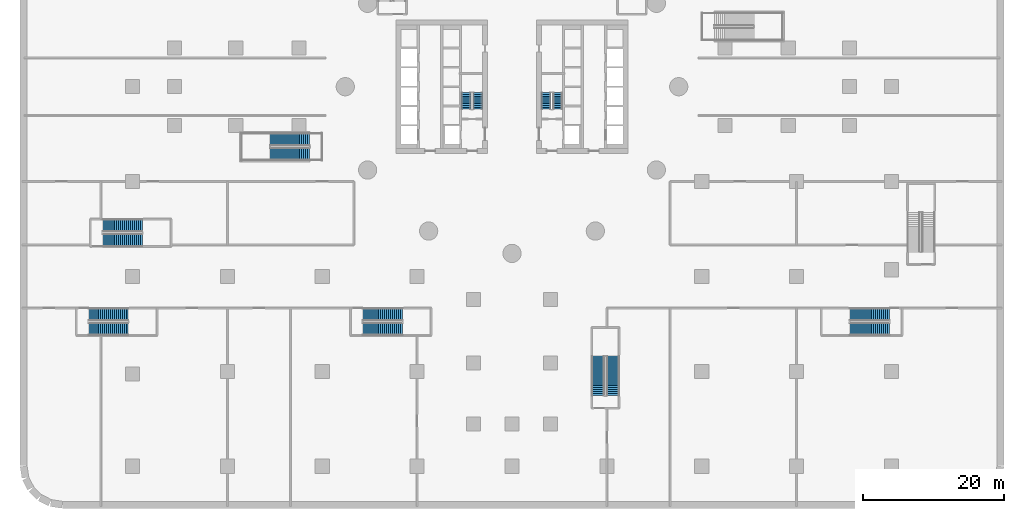
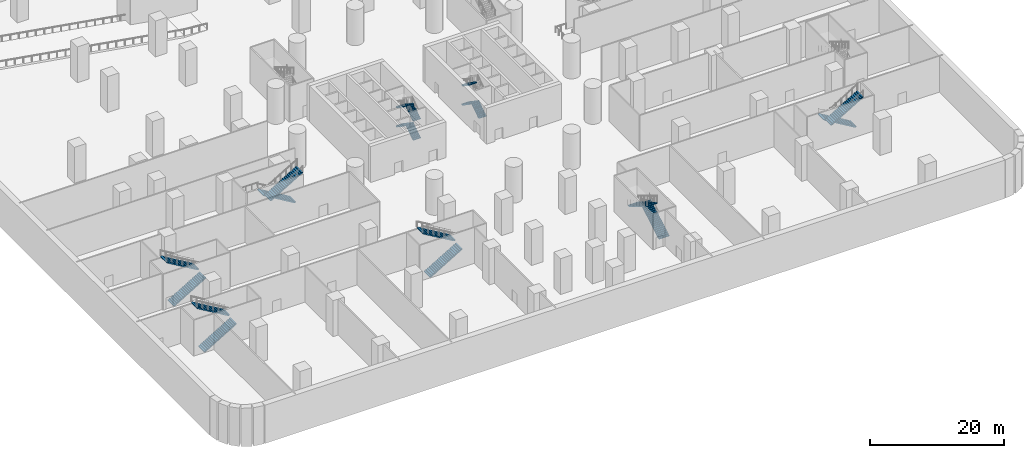
# One storey, part 13 of 30: 19 stair flights, 8 elements without a shape of their own.
"""IFC4 building model written with IfcOpenShell, lengths in metres."""

from ifc_helpers import new_model, si_unit, direction, frame, origin, place, context, subcontext, project, spatial, polyline, outline, extrude, material, type_object, element, aggregate, save


model = new_model("IFC4")

# Units and contexts
model_context = context("Model", 3, precision=1e-05, world=origin(), true_north=direction((0.0, 1.0)))
body_context = subcontext(model_context, "Body", "Model", "MODEL_VIEW")
ifc_project = project(units=[si_unit("LENGTHUNIT", "METRE"), si_unit("AREAUNIT", "SQUARE_METRE"), si_unit("VOLUMEUNIT", "CUBIC_METRE"), si_unit("PLANEANGLEUNIT", "RADIAN"), si_unit("MASSUNIT", "GRAM", prefix="KILO")], contexts=[model_context])

# Site, building, storey
site_placement = place(None, origin())
site = spatial("IfcSite", under=ifc_project, at=site_placement, CompositionType="ELEMENT")
building_placement = place(site_placement, origin())
building = spatial("IfcBuilding", under=site, at=building_placement, Name="Tamarind Cross Interchange Tower", CompositionType="ELEMENT")
storey_placement = place(building_placement, frame((0.0, 0.0, -14.0)))
storey = spatial("IfcBuildingStorey", under=building, at=storey_placement, Name="B2", CompositionType="ELEMENT", Elevation=-14.0)

# Stair, stair flights
ifc_material_1 = material(Name="Exit stair")
stair_type_1 = type_object("IfcStairType", Name="Exit stair", PredefinedType="HALF_TURN_STAIR", material=ifc_material_1)
stair_1_placement = place(storey_placement, origin())
stair_1 = element("IfcStair", 1, at=stair_1_placement, inside=storey, type_object=stair_type_1, Name="B2 exit stair ST1", PredefinedType="HALF_TURN_STAIR")
ifc_material_2 = material(Name="Exit stair flight")
stair_flight_type_1 = type_object("IfcStairFlightType", Name="Exit stair flight", PredefinedType="STRAIGHT", material=ifc_material_2)
stair_flight_1_placement = place(storey_placement, frame((-4.85009765625, -3.199951171875, 0.0), z_axis=(0.0, 0.0, 1.0), x_axis=(0.0, 1.0, 0.0)))
stair_flight_1 = element("IfcStairFlight", 2, at=stair_flight_1_placement, type_object=stair_flight_type_1, Name="ST1 flight 1", NumberOfRisers=10, NumberOfTreads=9, PredefinedType="STRAIGHT", RiserHeight=0.175, TreadLength=0.26, context=body_context, shape_type="SweptSolid", body=[
    extrude(outline(polyline([(0.0, 0.0), (0.0, 0.175048828125), (0.260009765625, 0.175048828125), (0.260009765625, 0.35009765625), (0.52001953125, 0.35009765625), (0.52001953125, 0.52490234375), (0.780029296875, 0.52490234375), (0.780029296875, 0.699951171875), (1.0400390625, 0.699951171875), (1.0400390625, 0.875), (1.300048828125, 0.875), (1.300048828125, 1.050048828125), (1.56005859375, 1.050048828125), (1.56005859375, 1.22509765625), (1.820068359375, 1.22509765625), (1.820068359375, 1.39990234375), (2.080078125, 1.39990234375), (2.080078125, 1.574951171875), (2.340087890625, 1.574951171875), (2.340087890625, 1.75), (2.340087890625, 1.394287109375), (0.2685546875, 0.0), (0.0, 0.0)])), frame((0.0, 0.64990234375, 0.0), z_axis=(0.0, -1.0, 0.0), x_axis=(1.0, 0.0, 0.0)), (0.0, 0.0, 1.0), 1.300048828125),
])
stair_flight_2_placement = place(storey_placement, frame((-6.5, -0.860107421875, 1.75), z_axis=(0.0, 0.0, 1.0), x_axis=(0.0, -1.0, 0.0)))
stair_flight_2 = element("IfcStairFlight", 3, at=stair_flight_2_placement, type_object=stair_flight_type_1, Name="ST1 flight 2", NumberOfRisers=10, NumberOfTreads=9, PredefinedType="STRAIGHT", RiserHeight=0.175, TreadLength=0.26, context=body_context, shape_type="SweptSolid", body=[
    extrude(outline(polyline([(0.0, 0.0), (0.0, 0.175048828125), (0.260009765625, 0.175048828125), (0.260009765625, 0.35009765625), (0.52001953125, 0.35009765625), (0.52001953125, 0.52490234375), (0.780029296875, 0.52490234375), (0.780029296875, 0.699951171875), (1.0400390625, 0.699951171875), (1.0400390625, 0.875), (1.300048828125, 0.875), (1.300048828125, 1.050048828125), (1.56005859375, 1.050048828125), (1.56005859375, 1.22509765625), (1.820068359375, 1.22509765625), (1.820068359375, 1.39990234375), (2.080078125, 1.39990234375), (2.080078125, 1.574951171875), (2.340087890625, 1.574951171875), (2.340087890625, 1.75), (2.340087890625, 1.394287109375), (0.2685546875, 0.0), (0.0, 0.0)])), frame((0.0, 0.64990234375, 0.0), z_axis=(0.0, -1.0, 0.0), x_axis=(1.0, 0.0, 0.0)), (0.0, 0.0, 1.0), 1.300048828125),
])
stair_flight_3_placement = place(storey_placement, frame((-4.85009765625, -3.199951171875, 3.5), z_axis=(0.0, 0.0, 1.0), x_axis=(0.0, 1.0, 0.0)))
stair_flight_3 = element("IfcStairFlight", 4, at=stair_flight_3_placement, type_object=stair_flight_type_1, Name="ST1 flight 3", NumberOfRisers=10, NumberOfTreads=9, PredefinedType="STRAIGHT", RiserHeight=0.175, TreadLength=0.26, context=body_context, shape_type="SweptSolid", body=[
    extrude(outline(polyline([(0.0, 0.0), (0.0, 0.175048828125), (0.260009765625, 0.175048828125), (0.260009765625, 0.35009765625), (0.52001953125, 0.35009765625), (0.52001953125, 0.52490234375), (0.780029296875, 0.52490234375), (0.780029296875, 0.699951171875), (1.0400390625, 0.699951171875), (1.0400390625, 0.875), (1.300048828125, 0.875), (1.300048828125, 1.050048828125), (1.56005859375, 1.050048828125), (1.56005859375, 1.22509765625), (1.820068359375, 1.22509765625), (1.820068359375, 1.39990234375), (2.080078125, 1.39990234375), (2.080078125, 1.574951171875), (2.340087890625, 1.574951171875), (2.340087890625, 1.75), (2.340087890625, 1.394287109375), (0.2685546875, 0.0), (0.0, 0.0)])), frame((0.0, 0.64990234375, 0.0), z_axis=(0.0, -1.0, 0.0), x_axis=(1.0, 0.0, 0.0)), (0.0, 0.0, 1.0), 1.300048828125),
])
stair_flight_4_placement = place(storey_placement, frame((-6.5, -0.860107421875, 5.25), z_axis=(0.0, 0.0, 1.0), x_axis=(0.0, -1.0, 0.0)))
stair_flight_4 = element("IfcStairFlight", 5, at=stair_flight_4_placement, type_object=stair_flight_type_1, Name="ST1 flight 4", NumberOfRisers=10, NumberOfTreads=9, PredefinedType="STRAIGHT", RiserHeight=0.175, TreadLength=0.26, context=body_context, shape_type="SweptSolid", body=[
    extrude(outline(polyline([(0.0, 0.0), (0.0, 0.175048828125), (0.260009765625, 0.175048828125), (0.260009765625, 0.35009765625), (0.52001953125, 0.35009765625), (0.52001953125, 0.52490234375), (0.780029296875, 0.52490234375), (0.780029296875, 0.699951171875), (1.0400390625, 0.699951171875), (1.0400390625, 0.875), (1.300048828125, 0.875), (1.300048828125, 1.050048828125), (1.56005859375, 1.050048828125), (1.56005859375, 1.22509765625), (1.820068359375, 1.22509765625), (1.820068359375, 1.39990234375), (2.080078125, 1.39990234375), (2.080078125, 1.574951171875), (2.340087890625, 1.574951171875), (2.340087890625, 1.75), (2.340087890625, 1.394287109375), (0.2685546875, 0.0), (0.0, 0.0)])), frame((0.0, 0.64990234375, 0.0), z_axis=(0.0, -1.0, 0.0), x_axis=(1.0, 0.0, 0.0)), (0.0, 0.0, 1.0), 1.300048828125),
])
aggregate(stair_1, [stair_flight_1, stair_flight_2, stair_flight_3, stair_flight_4])

stair_2_placement = place(storey_placement, origin())
stair_2 = element("IfcStair", 6, at=stair_2_placement, inside=storey, type_object=stair_type_1, Name="B2 exit stair ST2", PredefinedType="HALF_TURN_STAIR")
stair_flight_5_placement = place(storey_placement, frame((6.5, -3.199951171875, 0.0), z_axis=(0.0, 0.0, 1.0), x_axis=(0.0, 1.0, 0.0)))
stair_flight_5 = element("IfcStairFlight", 7, at=stair_flight_5_placement, type_object=stair_flight_type_1, Name="ST2 flight 1", NumberOfRisers=10, NumberOfTreads=9, PredefinedType="STRAIGHT", RiserHeight=0.175, TreadLength=0.26, context=body_context, shape_type="SweptSolid", body=[
    extrude(outline(polyline([(0.0, 0.0), (0.0, 0.175048828125), (0.260009765625, 0.175048828125), (0.260009765625, 0.35009765625), (0.52001953125, 0.35009765625), (0.52001953125, 0.52490234375), (0.780029296875, 0.52490234375), (0.780029296875, 0.699951171875), (1.0400390625, 0.699951171875), (1.0400390625, 0.875), (1.300048828125, 0.875), (1.300048828125, 1.050048828125), (1.56005859375, 1.050048828125), (1.56005859375, 1.22509765625), (1.820068359375, 1.22509765625), (1.820068359375, 1.39990234375), (2.080078125, 1.39990234375), (2.080078125, 1.574951171875), (2.340087890625, 1.574951171875), (2.340087890625, 1.75), (2.340087890625, 1.394287109375), (0.2685546875, 0.0), (0.0, 0.0)])), frame((0.0, 0.64990234375, 0.0), z_axis=(0.0, -1.0, 0.0), x_axis=(1.0, 0.0, 0.0)), (0.0, 0.0, 1.0), 1.300048828125),
])
stair_flight_6_placement = place(storey_placement, frame((4.85009765625, -0.860107421875, 1.75), z_axis=(0.0, 0.0, 1.0), x_axis=(0.0, -1.0, 0.0)))
stair_flight_6 = element("IfcStairFlight", 8, at=stair_flight_6_placement, type_object=stair_flight_type_1, Name="ST2 flight 2", NumberOfRisers=10, NumberOfTreads=9, PredefinedType="STRAIGHT", RiserHeight=0.175, TreadLength=0.26, context=body_context, shape_type="SweptSolid", body=[
    extrude(outline(polyline([(0.0, 0.0), (0.0, 0.175048828125), (0.260009765625, 0.175048828125), (0.260009765625, 0.35009765625), (0.52001953125, 0.35009765625), (0.52001953125, 0.52490234375), (0.780029296875, 0.52490234375), (0.780029296875, 0.699951171875), (1.0400390625, 0.699951171875), (1.0400390625, 0.875), (1.300048828125, 0.875), (1.300048828125, 1.050048828125), (1.56005859375, 1.050048828125), (1.56005859375, 1.22509765625), (1.820068359375, 1.22509765625), (1.820068359375, 1.39990234375), (2.080078125, 1.39990234375), (2.080078125, 1.574951171875), (2.340087890625, 1.574951171875), (2.340087890625, 1.75), (2.340087890625, 1.394287109375), (0.2685546875, 0.0), (0.0, 0.0)])), frame((0.0, 0.64990234375, 0.0), z_axis=(0.0, -1.0, 0.0), x_axis=(1.0, 0.0, 0.0)), (0.0, 0.0, 1.0), 1.300048828125),
])
stair_flight_7_placement = place(storey_placement, frame((4.85009765625, -0.860107421875, 5.25), z_axis=(0.0, 0.0, 1.0), x_axis=(0.0, -1.0, 0.0)))
stair_flight_7 = element("IfcStairFlight", 9, at=stair_flight_7_placement, type_object=stair_flight_type_1, Name="ST2 flight 4", NumberOfRisers=10, NumberOfTreads=9, PredefinedType="STRAIGHT", RiserHeight=0.175, TreadLength=0.26, context=body_context, shape_type="SweptSolid", body=[
    extrude(outline(polyline([(0.0, 0.0), (0.0, 0.175048828125), (0.260009765625, 0.175048828125), (0.260009765625, 0.35009765625), (0.52001953125, 0.35009765625), (0.52001953125, 0.52490234375), (0.780029296875, 0.52490234375), (0.780029296875, 0.699951171875), (1.0400390625, 0.699951171875), (1.0400390625, 0.875), (1.300048828125, 0.875), (1.300048828125, 1.050048828125), (1.56005859375, 1.050048828125), (1.56005859375, 1.22509765625), (1.820068359375, 1.22509765625), (1.820068359375, 1.39990234375), (2.080078125, 1.39990234375), (2.080078125, 1.574951171875), (2.340087890625, 1.574951171875), (2.340087890625, 1.75), (2.340087890625, 1.394287109375), (0.2685546875, 0.0), (0.0, 0.0)])), frame((0.0, 0.64990234375, 0.0), z_axis=(0.0, -1.0, 0.0), x_axis=(1.0, 0.0, 0.0)), (0.0, 0.0, 1.0), 1.300048828125),
])
aggregate(stair_2, [stair_flight_5, stair_flight_6, stair_flight_7])

ifc_material_3 = material(Name="Public stair")
stair_type_2 = type_object("IfcStairType", Name="Public stair", PredefinedType="HALF_TURN_STAIR", material=ifc_material_3)
stair_3_placement = place(storey_placement, origin())
stair_3 = element("IfcStair", 10, at=stair_3_placement, inside=storey, type_object=stair_type_2, Name="B2 public stair MS-W", PredefinedType="HALF_TURN_STAIR")
ifc_material_4 = material(Name="Public stair flight")
stair_flight_type_2 = type_object("IfcStairFlightType", Name="Public stair flight", PredefinedType="STRAIGHT", material=ifc_material_4)
stair_flight_8_placement = place(storey_placement, frame((-28.800048828125, -7.5, 0.0), z_axis=(0.0, 0.0, 1.0), x_axis=(-1.0, 0.0, 0.0)))
stair_flight_8 = element("IfcStairFlight", 11, at=stair_flight_8_placement, type_object=stair_flight_type_2, Name="MS-W flight 1", NumberOfRisers=21, NumberOfTreads=20, PredefinedType="STRAIGHT", RiserHeight=0.166666667, TreadLength=0.28, context=body_context, shape_type="SweptSolid", body=[
    extrude(outline(polyline([(0.0, 0.0), (0.0, 0.166748046875), (0.280029296875, 0.166748046875), (0.280029296875, 0.333251953125), (0.56005859375, 0.333251953125), (0.56005859375, 0.5), (0.840087890625, 0.5), (0.840087890625, 0.666748046875), (1.1201171875, 0.666748046875), (1.1201171875, 0.833251953125), (1.39990234375, 0.833251953125), (1.39990234375, 1.0), (1.679931640625, 1.0), (1.679931640625, 1.166748046875), (1.9599609375, 1.166748046875), (1.9599609375, 1.333251953125), (2.239990234375, 1.333251953125), (2.239990234375, 1.5), (2.52001953125, 1.5), (2.52001953125, 1.666748046875), (2.800048828125, 1.666748046875), (2.800048828125, 1.833251953125), (3.080078125, 1.833251953125), (3.080078125, 2.0), (3.360107421875, 2.0), (3.360107421875, 2.166748046875), (3.639892578125, 2.166748046875), (3.639892578125, 2.333251953125), (3.919921875, 2.333251953125), (3.919921875, 2.5), (4.199951171875, 2.5), (4.199951171875, 2.666748046875), (4.47998046875, 2.666748046875), (4.47998046875, 2.833251953125), (4.760009765625, 2.833251953125), (4.760009765625, 3.0), (5.0400390625, 3.0), (5.0400390625, 3.166748046875), (5.320068359375, 3.166748046875), (5.320068359375, 3.333251953125), (5.60009765625, 3.333251953125), (5.60009765625, 3.5), (5.60009765625, 3.158935546875), (0.29296875, 0.0), (0.0, 0.0)])), frame((0.0, 0.89990234375, 0.0), z_axis=(0.0, -1.0, 0.0), x_axis=(1.0, 0.0, 0.0)), (0.0, 0.0, 1.0), 1.800048828125),
])
stair_flight_9_placement = place(storey_placement, frame((-34.39990234375, -9.60009765625, 3.5), z_axis=(0.0, 0.0, 1.0), x_axis=(1.0, 0.0, 0.0)))
stair_flight_9 = element("IfcStairFlight", 12, at=stair_flight_9_placement, type_object=stair_flight_type_2, Name="MS-W flight 2", NumberOfRisers=21, NumberOfTreads=20, PredefinedType="STRAIGHT", RiserHeight=0.166666667, TreadLength=0.28, context=body_context, shape_type="SweptSolid", body=[
    extrude(outline(polyline([(0.0, 0.0), (0.0, 0.166748046875), (0.280029296875, 0.166748046875), (0.280029296875, 0.333251953125), (0.56005859375, 0.333251953125), (0.56005859375, 0.5), (0.840087890625, 0.5), (0.840087890625, 0.666748046875), (1.1201171875, 0.666748046875), (1.1201171875, 0.833251953125), (1.39990234375, 0.833251953125), (1.39990234375, 1.0), (1.679931640625, 1.0), (1.679931640625, 1.166748046875), (1.9599609375, 1.166748046875), (1.9599609375, 1.333251953125), (2.239990234375, 1.333251953125), (2.239990234375, 1.5), (2.52001953125, 1.5), (2.52001953125, 1.666748046875), (2.800048828125, 1.666748046875), (2.800048828125, 1.833251953125), (3.080078125, 1.833251953125), (3.080078125, 2.0), (3.360107421875, 2.0), (3.360107421875, 2.166748046875), (3.639892578125, 2.166748046875), (3.639892578125, 2.333251953125), (3.919921875, 2.333251953125), (3.919921875, 2.5), (4.199951171875, 2.5), (4.199951171875, 2.666748046875), (4.47998046875, 2.666748046875), (4.47998046875, 2.833251953125), (4.760009765625, 2.833251953125), (4.760009765625, 3.0), (5.0400390625, 3.0), (5.0400390625, 3.166748046875), (5.320068359375, 3.166748046875), (5.320068359375, 3.333251953125), (5.60009765625, 3.333251953125), (5.60009765625, 3.5), (5.60009765625, 3.158935546875), (0.29296875, 0.0), (0.0, 0.0)])), frame((0.0, 0.89990234375, 0.0), z_axis=(0.0, -1.0, 0.0), x_axis=(1.0, 0.0, 0.0)), (0.0, 0.0, 1.0), 1.800048828125),
])
aggregate(stair_3, [stair_flight_8, stair_flight_9])

stair_4_placement = place(storey_placement, origin())
stair_4 = element("IfcStair", 13, at=stair_4_placement, inside=storey, type_object=stair_type_2, Name="B2 exit stair XS-P07", PredefinedType="HALF_TURN_STAIR")
stair_flight_10_placement = place(storey_placement, frame((-60.199951171875, -34.5, 0.0), z_axis=(0.0, 0.0, 1.0), x_axis=(1.0, 0.0, 0.0)))
stair_flight_10 = element("IfcStairFlight", 14, at=stair_flight_10_placement, type_object=stair_flight_type_2, Name="XS-P07 flight 1", NumberOfRisers=21, NumberOfTreads=20, PredefinedType="STRAIGHT", RiserHeight=0.166666667, TreadLength=0.28, context=body_context, shape_type="SweptSolid", body=[
    extrude(outline(polyline([(0.0, 0.0), (0.0, 0.166748046875), (0.280029296875, 0.166748046875), (0.280029296875, 0.333251953125), (0.56005859375, 0.333251953125), (0.56005859375, 0.5), (0.840087890625, 0.5), (0.840087890625, 0.666748046875), (1.1201171875, 0.666748046875), (1.1201171875, 0.833251953125), (1.39990234375, 0.833251953125), (1.39990234375, 1.0), (1.679931640625, 1.0), (1.679931640625, 1.166748046875), (1.9599609375, 1.166748046875), (1.9599609375, 1.333251953125), (2.239990234375, 1.333251953125), (2.239990234375, 1.5), (2.52001953125, 1.5), (2.52001953125, 1.666748046875), (2.800048828125, 1.666748046875), (2.800048828125, 1.833251953125), (3.080078125, 1.833251953125), (3.080078125, 2.0), (3.360107421875, 2.0), (3.360107421875, 2.166748046875), (3.639892578125, 2.166748046875), (3.639892578125, 2.333251953125), (3.919921875, 2.333251953125), (3.919921875, 2.5), (4.199951171875, 2.5), (4.199951171875, 2.666748046875), (4.47998046875, 2.666748046875), (4.47998046875, 2.833251953125), (4.760009765625, 2.833251953125), (4.760009765625, 3.0), (5.0400390625, 3.0), (5.0400390625, 3.166748046875), (5.320068359375, 3.166748046875), (5.320068359375, 3.333251953125), (5.60009765625, 3.333251953125), (5.60009765625, 3.5), (5.60009765625, 3.158935546875), (0.29296875, 0.0), (0.0, 0.0)])), frame((0.0, 0.89990234375, 0.0), z_axis=(0.0, -1.0, 0.0), x_axis=(1.0, 0.0, 0.0)), (0.0, 0.0, 1.0), 1.800048828125),
])
stair_flight_11_placement = place(storey_placement, frame((-54.60009765625, -32.39990234375, 3.5), z_axis=(0.0, 0.0, 1.0), x_axis=(-1.0, 0.0, 0.0)))
stair_flight_11 = element("IfcStairFlight", 15, at=stair_flight_11_placement, type_object=stair_flight_type_2, Name="XS-P07 flight 2", NumberOfRisers=21, NumberOfTreads=20, PredefinedType="STRAIGHT", RiserHeight=0.166666667, TreadLength=0.28, context=body_context, shape_type="SweptSolid", body=[
    extrude(outline(polyline([(0.0, 0.0), (0.0, 0.166748046875), (0.280029296875, 0.166748046875), (0.280029296875, 0.333251953125), (0.56005859375, 0.333251953125), (0.56005859375, 0.5), (0.840087890625, 0.5), (0.840087890625, 0.666748046875), (1.1201171875, 0.666748046875), (1.1201171875, 0.833251953125), (1.39990234375, 0.833251953125), (1.39990234375, 1.0), (1.679931640625, 1.0), (1.679931640625, 1.166748046875), (1.9599609375, 1.166748046875), (1.9599609375, 1.333251953125), (2.239990234375, 1.333251953125), (2.239990234375, 1.5), (2.52001953125, 1.5), (2.52001953125, 1.666748046875), (2.800048828125, 1.666748046875), (2.800048828125, 1.833251953125), (3.080078125, 1.833251953125), (3.080078125, 2.0), (3.360107421875, 2.0), (3.360107421875, 2.166748046875), (3.639892578125, 2.166748046875), (3.639892578125, 2.333251953125), (3.919921875, 2.333251953125), (3.919921875, 2.5), (4.199951171875, 2.5), (4.199951171875, 2.666748046875), (4.47998046875, 2.666748046875), (4.47998046875, 2.833251953125), (4.760009765625, 2.833251953125), (4.760009765625, 3.0), (5.0400390625, 3.0), (5.0400390625, 3.166748046875), (5.320068359375, 3.166748046875), (5.320068359375, 3.333251953125), (5.60009765625, 3.333251953125), (5.60009765625, 3.5), (5.60009765625, 3.158935546875), (0.29296875, 0.0), (0.0, 0.0)])), frame((0.0, 0.89990234375, 0.0), z_axis=(0.0, -1.0, 0.0), x_axis=(1.0, 0.0, 0.0)), (0.0, 0.0, 1.0), 1.800048828125),
])
aggregate(stair_4, [stair_flight_10, stair_flight_11])

stair_5_placement = place(storey_placement, origin())
stair_5 = element("IfcStair", 16, at=stair_5_placement, inside=storey, type_object=stair_type_2, Name="B2 exit stair XS-P08", PredefinedType="HALF_TURN_STAIR")
stair_flight_12_placement = place(storey_placement, frame((-58.199951171875, -21.85009765625, 0.0), z_axis=(0.0, 0.0, 1.0), x_axis=(1.0, 0.0, 0.0)))
stair_flight_12 = element("IfcStairFlight", 17, at=stair_flight_12_placement, type_object=stair_flight_type_2, Name="XS-P08 flight 1", NumberOfRisers=21, NumberOfTreads=20, PredefinedType="STRAIGHT", RiserHeight=0.166666667, TreadLength=0.28, context=body_context, shape_type="SweptSolid", body=[
    extrude(outline(polyline([(0.0, 0.0), (0.0, 0.166748046875), (0.280029296875, 0.166748046875), (0.280029296875, 0.333251953125), (0.56005859375, 0.333251953125), (0.56005859375, 0.5), (0.840087890625, 0.5), (0.840087890625, 0.666748046875), (1.1201171875, 0.666748046875), (1.1201171875, 0.833251953125), (1.39990234375, 0.833251953125), (1.39990234375, 1.0), (1.679931640625, 1.0), (1.679931640625, 1.166748046875), (1.9599609375, 1.166748046875), (1.9599609375, 1.333251953125), (2.239990234375, 1.333251953125), (2.239990234375, 1.5), (2.52001953125, 1.5), (2.52001953125, 1.666748046875), (2.800048828125, 1.666748046875), (2.800048828125, 1.833251953125), (3.080078125, 1.833251953125), (3.080078125, 2.0), (3.360107421875, 2.0), (3.360107421875, 2.166748046875), (3.639892578125, 2.166748046875), (3.639892578125, 2.333251953125), (3.919921875, 2.333251953125), (3.919921875, 2.5), (4.199951171875, 2.5), (4.199951171875, 2.666748046875), (4.47998046875, 2.666748046875), (4.47998046875, 2.833251953125), (4.760009765625, 2.833251953125), (4.760009765625, 3.0), (5.0400390625, 3.0), (5.0400390625, 3.166748046875), (5.320068359375, 3.166748046875), (5.320068359375, 3.333251953125), (5.60009765625, 3.333251953125), (5.60009765625, 3.5), (5.60009765625, 3.158935546875), (0.29296875, 0.0), (0.0, 0.0)])), frame((0.0, 0.89990234375, 0.0), z_axis=(0.0, -1.0, 0.0), x_axis=(1.0, 0.0, 0.0)), (0.0, 0.0, 1.0), 1.800048828125),
])
stair_flight_13_placement = place(storey_placement, frame((-52.60009765625, -19.75, 3.5), z_axis=(0.0, 0.0, 1.0), x_axis=(-1.0, 0.0, 0.0)))
stair_flight_13 = element("IfcStairFlight", 18, at=stair_flight_13_placement, type_object=stair_flight_type_2, Name="XS-P08 flight 2", NumberOfRisers=21, NumberOfTreads=20, PredefinedType="STRAIGHT", RiserHeight=0.166666667, TreadLength=0.28, context=body_context, shape_type="SweptSolid", body=[
    extrude(outline(polyline([(0.0, 0.0), (0.0, 0.166748046875), (0.280029296875, 0.166748046875), (0.280029296875, 0.333251953125), (0.56005859375, 0.333251953125), (0.56005859375, 0.5), (0.840087890625, 0.5), (0.840087890625, 0.666748046875), (1.1201171875, 0.666748046875), (1.1201171875, 0.833251953125), (1.39990234375, 0.833251953125), (1.39990234375, 1.0), (1.679931640625, 1.0), (1.679931640625, 1.166748046875), (1.9599609375, 1.166748046875), (1.9599609375, 1.333251953125), (2.239990234375, 1.333251953125), (2.239990234375, 1.5), (2.52001953125, 1.5), (2.52001953125, 1.666748046875), (2.800048828125, 1.666748046875), (2.800048828125, 1.833251953125), (3.080078125, 1.833251953125), (3.080078125, 2.0), (3.360107421875, 2.0), (3.360107421875, 2.166748046875), (3.639892578125, 2.166748046875), (3.639892578125, 2.333251953125), (3.919921875, 2.333251953125), (3.919921875, 2.5), (4.199951171875, 2.5), (4.199951171875, 2.666748046875), (4.47998046875, 2.666748046875), (4.47998046875, 2.833251953125), (4.760009765625, 2.833251953125), (4.760009765625, 3.0), (5.0400390625, 3.0), (5.0400390625, 3.166748046875), (5.320068359375, 3.166748046875), (5.320068359375, 3.333251953125), (5.60009765625, 3.333251953125), (5.60009765625, 3.5), (5.60009765625, 3.158935546875), (0.29296875, 0.0), (0.0, 0.0)])), frame((0.0, 0.89990234375, 0.0), z_axis=(0.0, -1.0, 0.0), x_axis=(1.0, 0.0, 0.0)), (0.0, 0.0, 1.0), 1.800048828125),
])
aggregate(stair_5, [stair_flight_12, stair_flight_13])

stair_6_placement = place(storey_placement, origin())
stair_6 = element("IfcStair", 19, at=stair_6_placement, inside=storey, type_object=stair_type_2, Name="B2 exit stair XS-P09", PredefinedType="HALF_TURN_STAIR")
stair_flight_14_placement = place(storey_placement, frame((-21.199951171875, -34.5, 0.0), z_axis=(0.0, 0.0, 1.0), x_axis=(1.0, 0.0, 0.0)))
stair_flight_14 = element("IfcStairFlight", 20, at=stair_flight_14_placement, type_object=stair_flight_type_2, Name="XS-P09 flight 1", NumberOfRisers=21, NumberOfTreads=20, PredefinedType="STRAIGHT", RiserHeight=0.166666667, TreadLength=0.28, context=body_context, shape_type="SweptSolid", body=[
    extrude(outline(polyline([(0.0, 0.0), (0.0, 0.166748046875), (0.280029296875, 0.166748046875), (0.280029296875, 0.333251953125), (0.56005859375, 0.333251953125), (0.56005859375, 0.5), (0.840087890625, 0.5), (0.840087890625, 0.666748046875), (1.1201171875, 0.666748046875), (1.1201171875, 0.833251953125), (1.39990234375, 0.833251953125), (1.39990234375, 1.0), (1.679931640625, 1.0), (1.679931640625, 1.166748046875), (1.9599609375, 1.166748046875), (1.9599609375, 1.333251953125), (2.239990234375, 1.333251953125), (2.239990234375, 1.5), (2.52001953125, 1.5), (2.52001953125, 1.666748046875), (2.800048828125, 1.666748046875), (2.800048828125, 1.833251953125), (3.080078125, 1.833251953125), (3.080078125, 2.0), (3.360107421875, 2.0), (3.360107421875, 2.166748046875), (3.639892578125, 2.166748046875), (3.639892578125, 2.333251953125), (3.919921875, 2.333251953125), (3.919921875, 2.5), (4.199951171875, 2.5), (4.199951171875, 2.666748046875), (4.47998046875, 2.666748046875), (4.47998046875, 2.833251953125), (4.760009765625, 2.833251953125), (4.760009765625, 3.0), (5.0400390625, 3.0), (5.0400390625, 3.166748046875), (5.320068359375, 3.166748046875), (5.320068359375, 3.333251953125), (5.60009765625, 3.333251953125), (5.60009765625, 3.5), (5.60009765625, 3.158935546875), (0.29296875, 0.0), (0.0, 0.0)])), frame((0.0, 0.89990234375, 0.0), z_axis=(0.0, -1.0, 0.0), x_axis=(1.0, 0.0, 0.0)), (0.0, 0.0, 1.0), 1.800048828125),
])
stair_flight_15_placement = place(storey_placement, frame((-15.60009765625, -32.39990234375, 3.5), z_axis=(0.0, 0.0, 1.0), x_axis=(-1.0, 0.0, 0.0)))
stair_flight_15 = element("IfcStairFlight", 21, at=stair_flight_15_placement, type_object=stair_flight_type_2, Name="XS-P09 flight 2", NumberOfRisers=21, NumberOfTreads=20, PredefinedType="STRAIGHT", RiserHeight=0.166666667, TreadLength=0.28, context=body_context, shape_type="SweptSolid", body=[
    extrude(outline(polyline([(0.0, 0.0), (0.0, 0.166748046875), (0.280029296875, 0.166748046875), (0.280029296875, 0.333251953125), (0.56005859375, 0.333251953125), (0.56005859375, 0.5), (0.840087890625, 0.5), (0.840087890625, 0.666748046875), (1.1201171875, 0.666748046875), (1.1201171875, 0.833251953125), (1.39990234375, 0.833251953125), (1.39990234375, 1.0), (1.679931640625, 1.0), (1.679931640625, 1.166748046875), (1.9599609375, 1.166748046875), (1.9599609375, 1.333251953125), (2.239990234375, 1.333251953125), (2.239990234375, 1.5), (2.52001953125, 1.5), (2.52001953125, 1.666748046875), (2.800048828125, 1.666748046875), (2.800048828125, 1.833251953125), (3.080078125, 1.833251953125), (3.080078125, 2.0), (3.360107421875, 2.0), (3.360107421875, 2.166748046875), (3.639892578125, 2.166748046875), (3.639892578125, 2.333251953125), (3.919921875, 2.333251953125), (3.919921875, 2.5), (4.199951171875, 2.5), (4.199951171875, 2.666748046875), (4.47998046875, 2.666748046875), (4.47998046875, 2.833251953125), (4.760009765625, 2.833251953125), (4.760009765625, 3.0), (5.0400390625, 3.0), (5.0400390625, 3.166748046875), (5.320068359375, 3.166748046875), (5.320068359375, 3.333251953125), (5.60009765625, 3.333251953125), (5.60009765625, 3.5), (5.60009765625, 3.158935546875), (0.29296875, 0.0), (0.0, 0.0)])), frame((0.0, 0.89990234375, 0.0), z_axis=(0.0, -1.0, 0.0), x_axis=(1.0, 0.0, 0.0)), (0.0, 0.0, 1.0), 1.800048828125),
])
aggregate(stair_6, [stair_flight_14, stair_flight_15])

stair_7_placement = place(storey_placement, origin())
stair_7 = element("IfcStair", 22, at=stair_7_placement, inside=storey, type_object=stair_type_2, Name="B2 exit stair XS-P10", PredefinedType="HALF_TURN_STAIR")
stair_flight_16_placement = place(storey_placement, frame((53.699951171875, -32.39990234375, 0.0), z_axis=(0.0, 0.0, 1.0), x_axis=(-1.0, 0.0, 0.0)))
stair_flight_16 = element("IfcStairFlight", 23, at=stair_flight_16_placement, type_object=stair_flight_type_2, Name="XS-P10 flight 1", NumberOfRisers=21, NumberOfTreads=20, PredefinedType="STRAIGHT", RiserHeight=0.166666667, TreadLength=0.28, context=body_context, shape_type="SweptSolid", body=[
    extrude(outline(polyline([(0.0, 0.0), (0.0, 0.166748046875), (0.280029296875, 0.166748046875), (0.280029296875, 0.333251953125), (0.56005859375, 0.333251953125), (0.56005859375, 0.5), (0.840087890625, 0.5), (0.840087890625, 0.666748046875), (1.1201171875, 0.666748046875), (1.1201171875, 0.833251953125), (1.39990234375, 0.833251953125), (1.39990234375, 1.0), (1.679931640625, 1.0), (1.679931640625, 1.166748046875), (1.9599609375, 1.166748046875), (1.9599609375, 1.333251953125), (2.239990234375, 1.333251953125), (2.239990234375, 1.5), (2.52001953125, 1.5), (2.52001953125, 1.666748046875), (2.800048828125, 1.666748046875), (2.800048828125, 1.833251953125), (3.080078125, 1.833251953125), (3.080078125, 2.0), (3.360107421875, 2.0), (3.360107421875, 2.166748046875), (3.639892578125, 2.166748046875), (3.639892578125, 2.333251953125), (3.919921875, 2.333251953125), (3.919921875, 2.5), (4.199951171875, 2.5), (4.199951171875, 2.666748046875), (4.47998046875, 2.666748046875), (4.47998046875, 2.833251953125), (4.760009765625, 2.833251953125), (4.760009765625, 3.0), (5.0400390625, 3.0), (5.0400390625, 3.166748046875), (5.320068359375, 3.166748046875), (5.320068359375, 3.333251953125), (5.60009765625, 3.333251953125), (5.60009765625, 3.5), (5.60009765625, 3.158935546875), (0.29296875, 0.0), (0.0, 0.0)])), frame((0.0, 0.89990234375, 0.0), z_axis=(0.0, -1.0, 0.0), x_axis=(1.0, 0.0, 0.0)), (0.0, 0.0, 1.0), 1.800048828125),
])
stair_flight_17_placement = place(storey_placement, frame((48.10009765625, -34.5, 3.5), z_axis=(0.0, 0.0, 1.0), x_axis=(1.0, 0.0, 0.0)))
stair_flight_17 = element("IfcStairFlight", 24, at=stair_flight_17_placement, type_object=stair_flight_type_2, Name="XS-P10 flight 2", NumberOfRisers=21, NumberOfTreads=20, PredefinedType="STRAIGHT", RiserHeight=0.166666667, TreadLength=0.28, context=body_context, shape_type="SweptSolid", body=[
    extrude(outline(polyline([(0.0, 0.0), (0.0, 0.166748046875), (0.280029296875, 0.166748046875), (0.280029296875, 0.333251953125), (0.56005859375, 0.333251953125), (0.56005859375, 0.5), (0.840087890625, 0.5), (0.840087890625, 0.666748046875), (1.1201171875, 0.666748046875), (1.1201171875, 0.833251953125), (1.39990234375, 0.833251953125), (1.39990234375, 1.0), (1.679931640625, 1.0), (1.679931640625, 1.166748046875), (1.9599609375, 1.166748046875), (1.9599609375, 1.333251953125), (2.239990234375, 1.333251953125), (2.239990234375, 1.5), (2.52001953125, 1.5), (2.52001953125, 1.666748046875), (2.800048828125, 1.666748046875), (2.800048828125, 1.833251953125), (3.080078125, 1.833251953125), (3.080078125, 2.0), (3.360107421875, 2.0), (3.360107421875, 2.166748046875), (3.639892578125, 2.166748046875), (3.639892578125, 2.333251953125), (3.919921875, 2.333251953125), (3.919921875, 2.5), (4.199951171875, 2.5), (4.199951171875, 2.666748046875), (4.47998046875, 2.666748046875), (4.47998046875, 2.833251953125), (4.760009765625, 2.833251953125), (4.760009765625, 3.0), (5.0400390625, 3.0), (5.0400390625, 3.166748046875), (5.320068359375, 3.166748046875), (5.320068359375, 3.333251953125), (5.60009765625, 3.333251953125), (5.60009765625, 3.5), (5.60009765625, 3.158935546875), (0.29296875, 0.0), (0.0, 0.0)])), frame((0.0, 0.89990234375, 0.0), z_axis=(0.0, -1.0, 0.0), x_axis=(1.0, 0.0, 0.0)), (0.0, 0.0, 1.0), 1.800048828125),
])
aggregate(stair_7, [stair_flight_16, stair_flight_17])

stair_8_placement = place(storey_placement, origin())
stair_8 = element("IfcStair", 25, at=stair_8_placement, inside=storey, type_object=stair_type_2, Name="B2 exit stair XS-P12", PredefinedType="HALF_TURN_STAIR")
stair_flight_18_placement = place(storey_placement, frame((14.35009765625, -43.949951171875, 0.0), z_axis=(0.0, 0.0, 1.0), x_axis=(0.0, 1.0, 0.0)))
stair_flight_18 = element("IfcStairFlight", 26, at=stair_flight_18_placement, type_object=stair_flight_type_2, Name="XS-P12 flight 1", NumberOfRisers=21, NumberOfTreads=20, PredefinedType="STRAIGHT", RiserHeight=0.166666667, TreadLength=0.28, context=body_context, shape_type="SweptSolid", body=[
    extrude(outline(polyline([(0.0, 0.0), (0.0, 0.166748046875), (0.280029296875, 0.166748046875), (0.280029296875, 0.333251953125), (0.56005859375, 0.333251953125), (0.56005859375, 0.5), (0.840087890625, 0.5), (0.840087890625, 0.666748046875), (1.1201171875, 0.666748046875), (1.1201171875, 0.833251953125), (1.39990234375, 0.833251953125), (1.39990234375, 1.0), (1.679931640625, 1.0), (1.679931640625, 1.166748046875), (1.9599609375, 1.166748046875), (1.9599609375, 1.333251953125), (2.239990234375, 1.333251953125), (2.239990234375, 1.5), (2.52001953125, 1.5), (2.52001953125, 1.666748046875), (2.800048828125, 1.666748046875), (2.800048828125, 1.833251953125), (3.080078125, 1.833251953125), (3.080078125, 2.0), (3.360107421875, 2.0), (3.360107421875, 2.166748046875), (3.639892578125, 2.166748046875), (3.639892578125, 2.333251953125), (3.919921875, 2.333251953125), (3.919921875, 2.5), (4.199951171875, 2.5), (4.199951171875, 2.666748046875), (4.47998046875, 2.666748046875), (4.47998046875, 2.833251953125), (4.760009765625, 2.833251953125), (4.760009765625, 3.0), (5.0400390625, 3.0), (5.0400390625, 3.166748046875), (5.320068359375, 3.166748046875), (5.320068359375, 3.333251953125), (5.60009765625, 3.333251953125), (5.60009765625, 3.5), (5.60009765625, 3.158935546875), (0.29296875, 0.0), (0.0, 0.0)])), frame((0.0, 0.89990234375, 0.0), z_axis=(0.0, -1.0, 0.0), x_axis=(1.0, 0.0, 0.0)), (0.0, 0.0, 1.0), 1.800048828125),
])
stair_flight_19_placement = place(storey_placement, frame((12.25, -38.35009765625, 3.5), z_axis=(0.0, 0.0, 1.0), x_axis=(0.0, -1.0, 0.0)))
stair_flight_19 = element("IfcStairFlight", 27, at=stair_flight_19_placement, type_object=stair_flight_type_2, Name="XS-P12 flight 2", NumberOfRisers=21, NumberOfTreads=20, PredefinedType="STRAIGHT", RiserHeight=0.166666667, TreadLength=0.28, context=body_context, shape_type="SweptSolid", body=[
    extrude(outline(polyline([(0.0, 0.0), (0.0, 0.166748046875), (0.280029296875, 0.166748046875), (0.280029296875, 0.333251953125), (0.56005859375, 0.333251953125), (0.56005859375, 0.5), (0.840087890625, 0.5), (0.840087890625, 0.666748046875), (1.1201171875, 0.666748046875), (1.1201171875, 0.833251953125), (1.39990234375, 0.833251953125), (1.39990234375, 1.0), (1.679931640625, 1.0), (1.679931640625, 1.166748046875), (1.9599609375, 1.166748046875), (1.9599609375, 1.333251953125), (2.239990234375, 1.333251953125), (2.239990234375, 1.5), (2.52001953125, 1.5), (2.52001953125, 1.666748046875), (2.800048828125, 1.666748046875), (2.800048828125, 1.833251953125), (3.080078125, 1.833251953125), (3.080078125, 2.0), (3.360107421875, 2.0), (3.360107421875, 2.166748046875), (3.639892578125, 2.166748046875), (3.639892578125, 2.333251953125), (3.919921875, 2.333251953125), (3.919921875, 2.5), (4.199951171875, 2.5), (4.199951171875, 2.666748046875), (4.47998046875, 2.666748046875), (4.47998046875, 2.833251953125), (4.760009765625, 2.833251953125), (4.760009765625, 3.0), (5.0400390625, 3.0), (5.0400390625, 3.166748046875), (5.320068359375, 3.166748046875), (5.320068359375, 3.333251953125), (5.60009765625, 3.333251953125), (5.60009765625, 3.5), (5.60009765625, 3.158935546875), (0.29296875, 0.0), (0.0, 0.0)])), frame((0.0, 0.89990234375, 0.0), z_axis=(0.0, -1.0, 0.0), x_axis=(1.0, 0.0, 0.0)), (0.0, 0.0, 1.0), 1.800048828125),
])
aggregate(stair_8, [stair_flight_18, stair_flight_19])

save(model, "model.ifc")
